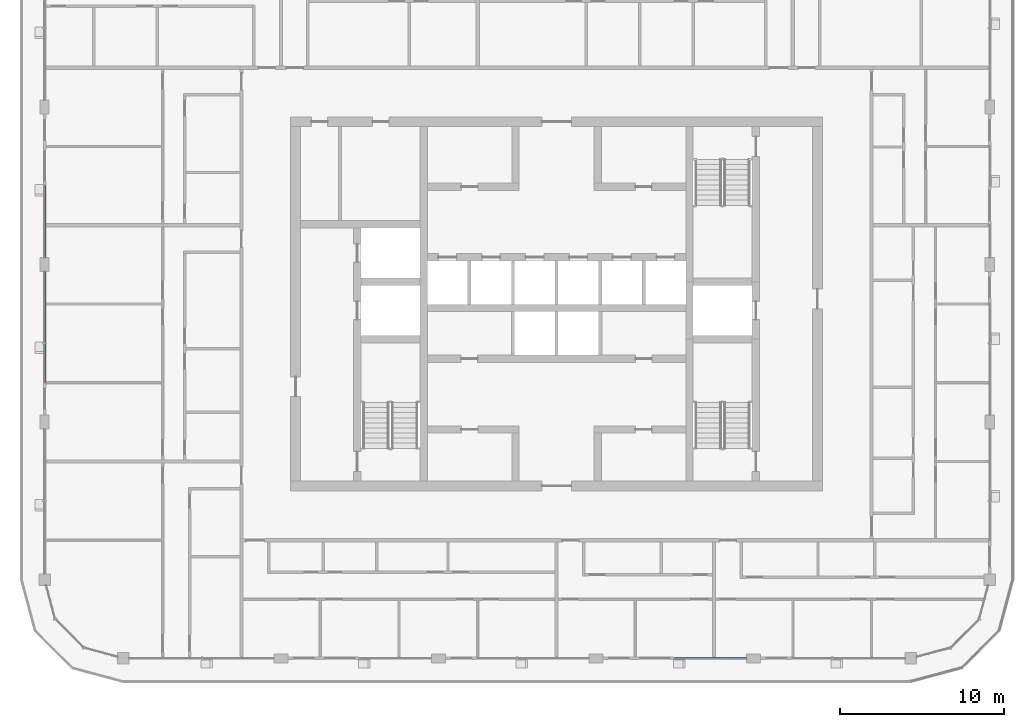
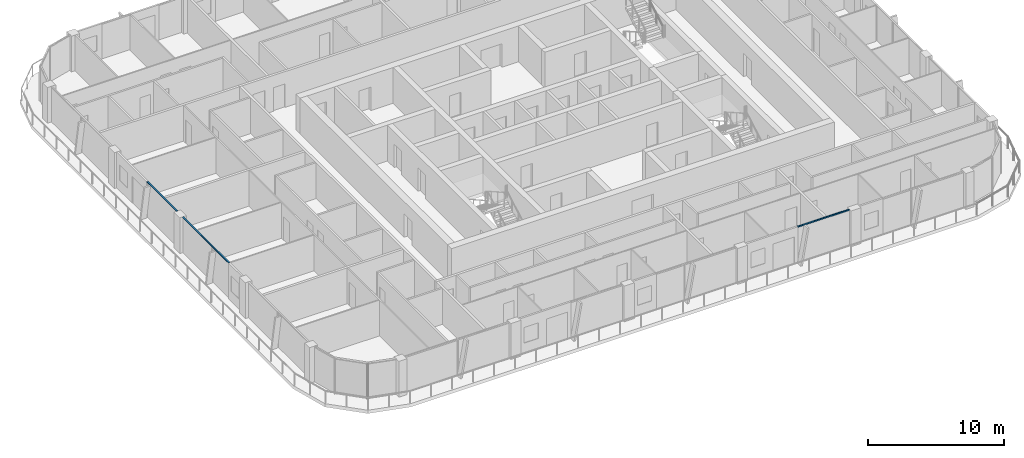
# One storey, part 3 of 21: 3 members, 3 elements without a shape of their own.
"""IFC4 building model written with IfcOpenShell, lengths in metres."""

from ifc_helpers import new_model, si_unit, direction, frame, origin, origin_2d, place, context, subcontext, project, spatial, rectangle, extrude, material, layer, layer_set, material_profile, profile_set, type_object, element, aggregate, save


model = new_model("IFC4")

# Units and contexts
model_context = context("Model", 3, precision=1e-05, world=origin(), true_north=direction((0.0, 1.0)))
body_context = subcontext(model_context, "Body", "Model", "MODEL_VIEW")
ifc_project = project(units=[si_unit("LENGTHUNIT", "METRE"), si_unit("AREAUNIT", "SQUARE_METRE"), si_unit("VOLUMEUNIT", "CUBIC_METRE"), si_unit("PLANEANGLEUNIT", "RADIAN"), si_unit("MASSUNIT", "GRAM", prefix="KILO")], contexts=[model_context])

# Site, building, storey
site_placement = place(None, origin())
site = spatial("IfcSite", under=ifc_project, at=site_placement, CompositionType="ELEMENT")
building_placement = place(site_placement, origin())
building = spatial("IfcBuilding", under=site, at=building_placement, Name="Madar Terraces", CompositionType="ELEMENT")
storey_placement = place(building_placement, frame((0.0, 0.0, 242.199951171875)))
storey = spatial("IfcBuildingStorey", under=building, at=storey_placement, Name="L63", CompositionType="ELEMENT", Elevation=242.199951171875)

# Curtain wall, member
ifc_material_1 = material(Name="Glass, ceramic frit dark grey, with black aluminium frame", Category="aluminium")
ifc_layer = layer(ifc_material_1, 0.199951171875)
ifc_layer_set = layer_set([ifc_layer], Name="Facade curtain wall, fritted glass")
curtain_wall_type = type_object("IfcCurtainWallType", Name="Facade curtain wall, fritted glass", PredefinedType="NOTDEFINED", material=ifc_layer_set)
curtain_wall_1_placement = place(storey_placement, origin())
curtain_wall_1 = element("IfcCurtainWall", 1, at=curtain_wall_1_placement, inside=storey, type_object=curtain_wall_type, Name="Outer skin curtain wall south bay 4", PredefinedType="NOTDEFINED")
ifc_material_2 = material(Name="Aluminium, black anodised", Category="aluminium")
ifc_material_profile = material_profile(ifc_material_2, rectangle(XDim=0.1201171875, YDim=0.06005859375, at=origin_2d()), Name="Facade transom 60x120")
ifc_profile_set = profile_set([ifc_material_profile], Name="Aluminium, black anodised")
member_type = type_object("IfcMemberType", Name="Facade transom 60x120", PredefinedType="USERDEFINED", material=ifc_profile_set)
member_1_placement = place(storey_placement, frame((38.39990234375, 4.800048828125, 3.170166015625), z_axis=(1.0, 0.0, 0.0), x_axis=(0.0, 1.0, 0.0)))
member_1 = element("IfcMember", 2, at=member_1_placement, type_object=member_type, Name="Transom 1", ObjectType="TRANSOM", PredefinedType="USERDEFINED", context=body_context, shape_type="SweptSolid", body=[
    extrude(rectangle(XDim=0.1201171875, YDim=0.06005859375, at=origin_2d()), origin(), (0.0, 0.0, 1.0), 4.375),
])
aggregate(curtain_wall_1, [member_1])

curtain_wall_2_placement = place(storey_placement, origin())
curtain_wall_2 = element("IfcCurtainWall", 3, at=curtain_wall_2_placement, inside=storey, type_object=curtain_wall_type, Name="Outer skin curtain wall west bay 2", PredefinedType="NOTDEFINED")
member_2_placement = place(storey_placement, frame((0.0, 33.60009765625, 3.170166015625), z_axis=(0.0, -1.0, 0.0), x_axis=(1.0, 0.0, 0.0)))
member_2 = element("IfcMember", 4, at=member_2_placement, type_object=member_type, Name="Transom 1", ObjectType="TRANSOM", PredefinedType="USERDEFINED", context=body_context, shape_type="SweptSolid", body=[
    extrude(rectangle(XDim=0.1201171875, YDim=0.06005859375, at=origin_2d()), origin(), (0.0, 0.0, 1.0), 4.375),
])
aggregate(curtain_wall_2, [member_2])

curtain_wall_3_placement = place(storey_placement, origin())
curtain_wall_3 = element("IfcCurtainWall", 5, at=curtain_wall_3_placement, inside=storey, type_object=curtain_wall_type, Name="Outer skin curtain wall west bay 3", PredefinedType="NOTDEFINED")
member_3_placement = place(storey_placement, frame((0.0, 28.375, 3.170166015625), z_axis=(0.0, -1.0, 0.0), x_axis=(1.0, 0.0, 0.0)))
member_3 = element("IfcMember", 6, at=member_3_placement, type_object=member_type, Name="Transom 1", ObjectType="TRANSOM", PredefinedType="USERDEFINED", context=body_context, shape_type="SweptSolid", body=[
    extrude(rectangle(XDim=0.1201171875, YDim=0.06005859375, at=origin_2d()), origin(), (0.0, 0.0, 1.0), 6.77490234375),
])
aggregate(curtain_wall_3, [member_3])

save(model, "model.ifc")
